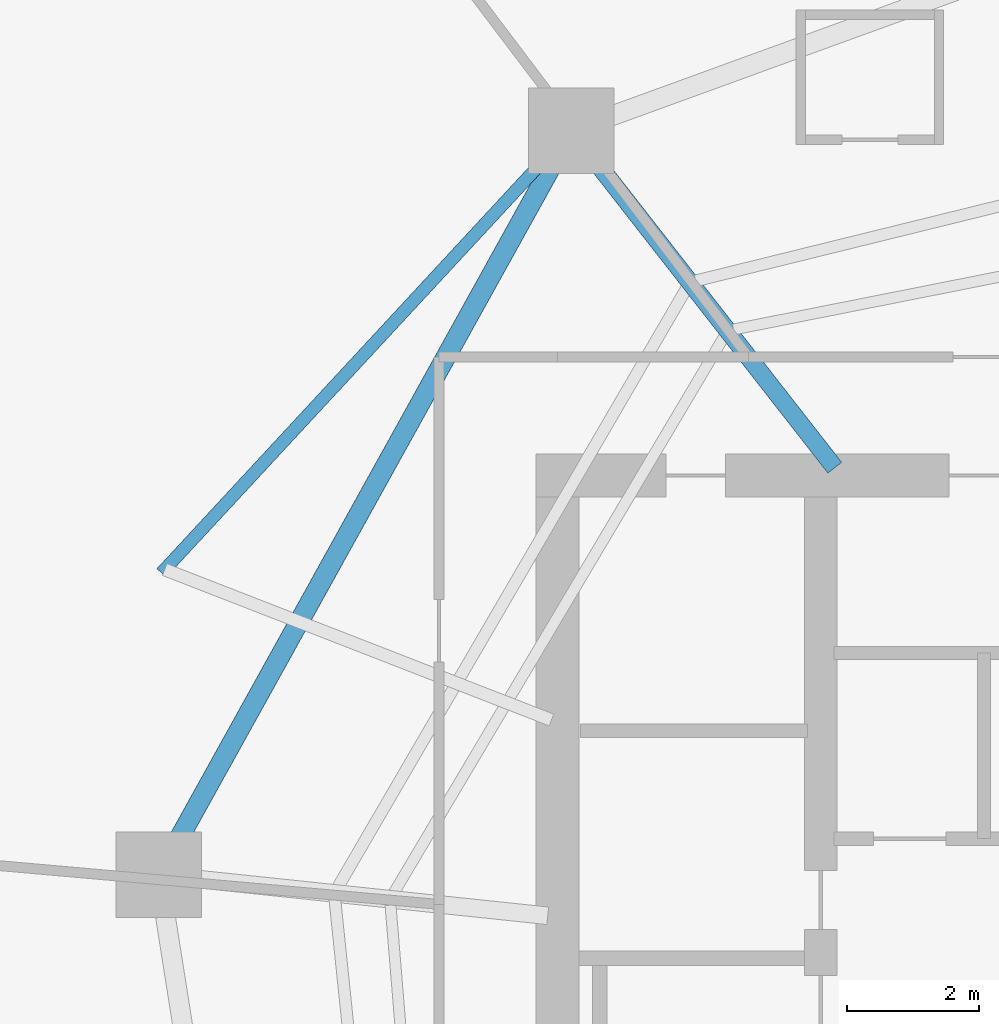
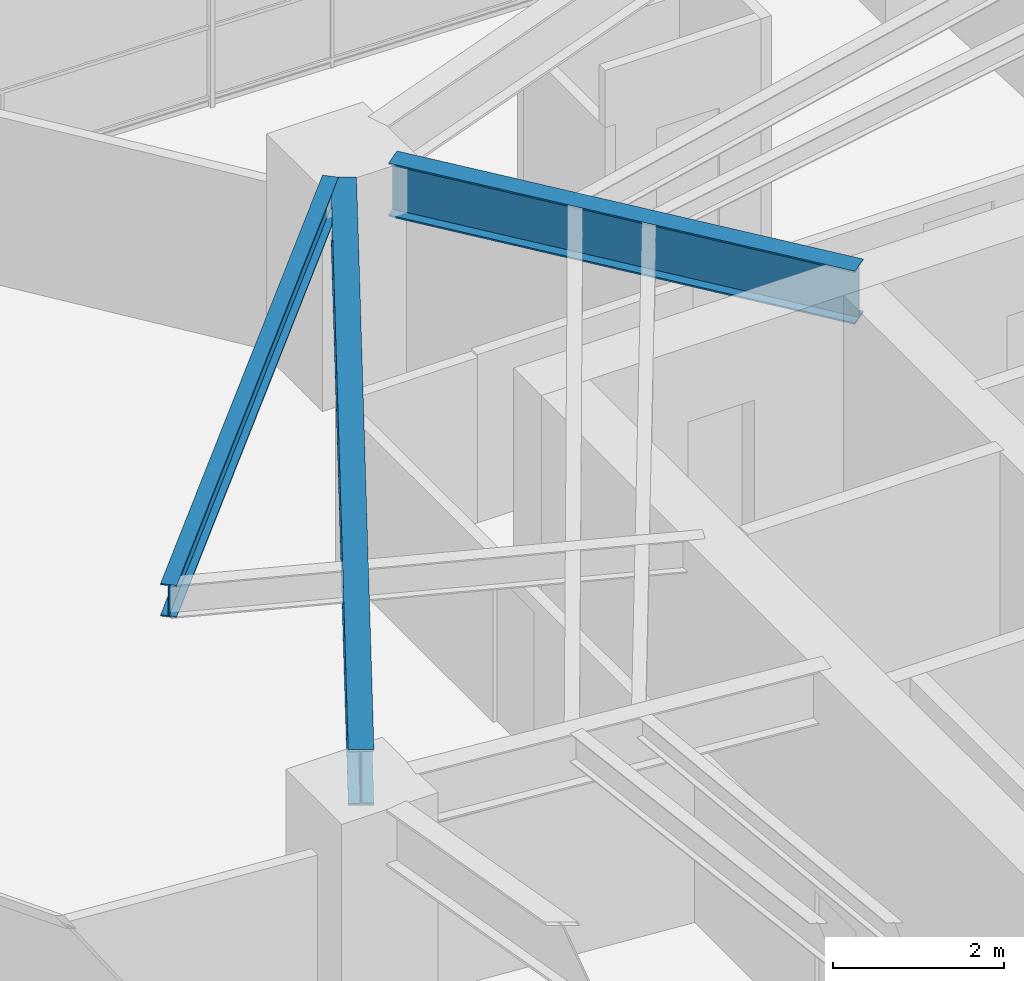
# One storey, part 15 of 30: 3 beams.
"""IFC4 building model written with IfcOpenShell, lengths in metres."""

from ifc_helpers import new_model, si_unit, direction, frame, origin, origin_2d, place, context, subcontext, project, spatial, i_section, extrude, material, material_profile, profile_set, type_object, element, save


model = new_model("IFC4")

# Units and contexts
model_context = context("Model", 3, precision=1e-05, world=origin(), true_north=direction((0.0, 1.0)))
body_context = subcontext(model_context, "Body", "Model", "MODEL_VIEW")
ifc_project = project(units=[si_unit("LENGTHUNIT", "METRE"), si_unit("AREAUNIT", "SQUARE_METRE"), si_unit("VOLUMEUNIT", "CUBIC_METRE"), si_unit("PLANEANGLEUNIT", "RADIAN"), si_unit("MASSUNIT", "GRAM", prefix="KILO")], contexts=[model_context])

# Site, building, storey
site_placement = place(None, origin())
site = spatial("IfcSite", under=ifc_project, at=site_placement, CompositionType="ELEMENT")
building_placement = place(site_placement, origin())
building = spatial("IfcBuilding", under=site, at=building_placement, Name="Qarnah Convention Tower", CompositionType="ELEMENT")
storey_placement = place(building_placement, frame((0.0, 0.0, 61.5)))
storey = spatial("IfcBuildingStorey", under=building, at=storey_placement, Name="L15", CompositionType="ELEMENT", Elevation=61.5)

# Beams
ifc_material = material(Name="Structural steel S355JR", Category="steel")
ifc_material_profile_1 = material_profile(ifc_material, i_section(OverallWidth=0.19189453125, OverallDepth=0.464111328125, WebThickness=0.010986328125, FlangeThickness=0.01806640625, at=origin_2d()), Name="W460X89")
ifc_profile_set_1 = profile_set([ifc_material_profile_1], Name="Structural steel S355JR")
beam_type_1 = type_object("IfcBeamType", Name="BM-CANT-W460A", PredefinedType="BEAM", material=ifc_profile_set_1)
beam_1_placement = place(storey_placement, frame((20.782958984375, 32.719970703125, 2.93798828125), z_axis=(0.679611332191, 0.733572380313, 0.0), x_axis=(-0.733572380313, 0.679611332191, 0.0)))
element("IfcBeam", 1, at=beam_1_placement, inside=storey, type_object=beam_type_1, Name="L15 spandrel BM-L15-CTIE-02", PredefinedType="SPANDREL", context=body_context, shape_type="SweptSolid", body=[
    extrude(i_section(OverallWidth=0.19189453125, OverallDepth=0.464111328125, WebThickness=0.010986328125, FlangeThickness=0.01806640625, at=origin_2d()), origin(), (0.0, 0.0, 1.0), 8.52392578125),
])
ifc_material_profile_2 = material_profile(ifc_material, i_section(OverallWidth=0.26806640625, OverallDepth=0.760009765625, WebThickness=0.014892578125, FlangeThickness=0.02197265625, at=origin_2d()), Name="W760X185")
ifc_profile_set_2 = profile_set([ifc_material_profile_2], Name="Structural steel S355JR")
beam_type_2 = type_object("IfcBeamType", Name="BM-RAD-W760", PredefinedType="BEAM", material=ifc_profile_set_2)
beam_2_placement = place(storey_placement, frame((31.013916015625, 34.318115234375, 2.7900390625), z_axis=(-0.61558272574, 0.78807227319, 0.0), x_axis=(-0.78807227319, -0.61558272574, 0.0)))
element("IfcBeam", 2, at=beam_2_placement, inside=storey, type_object=beam_type_2, Name="L15 beam BM-L15-RAD-04", PredefinedType="BEAM", context=body_context, shape_type="SweptSolid", body=[
    extrude(i_section(OverallWidth=0.26806640625, OverallDepth=0.760009765625, WebThickness=0.014892578125, FlangeThickness=0.02197265625, at=origin_2d()), origin(), (0.0, 0.0, 1.0), 5.87255859375),
])
ifc_material_profile_3 = material_profile(ifc_material, i_section(OverallWidth=0.300048828125, OverallDepth=0.800048828125, WebThickness=0.01806640625, FlangeThickness=0.032958984375, at=origin_2d()), Name="HEB800")
ifc_profile_set_3 = profile_set([ifc_material_profile_3], Name="Structural steel S355JR")
beam_type_3 = type_object("IfcBeamType", Name="BM-RING-HEB800", PredefinedType="BEAM", material=ifc_profile_set_3)
beam_3_placement = place(storey_placement, frame((26.700927734375, 38.882080078125, 2.77001953125), z_axis=(-0.484829813426, -0.874608513572, 0.0), x_axis=(0.874608513572, -0.484829813426, 0.0)))
element("IfcBeam", 3, at=beam_3_placement, inside=storey, type_object=beam_type_3, Name="L15 beam BM-L15-SPN-04", PredefinedType="BEAM", context=body_context, shape_type="SweptSolid", body=[
    extrude(i_section(OverallWidth=0.300048828125, OverallDepth=0.800048828125, WebThickness=0.01806640625, FlangeThickness=0.032958984375, at=origin_2d()), origin(), (0.0, 0.0, 1.0), 11.6533203125),
])

save(model, "model.ifc")
